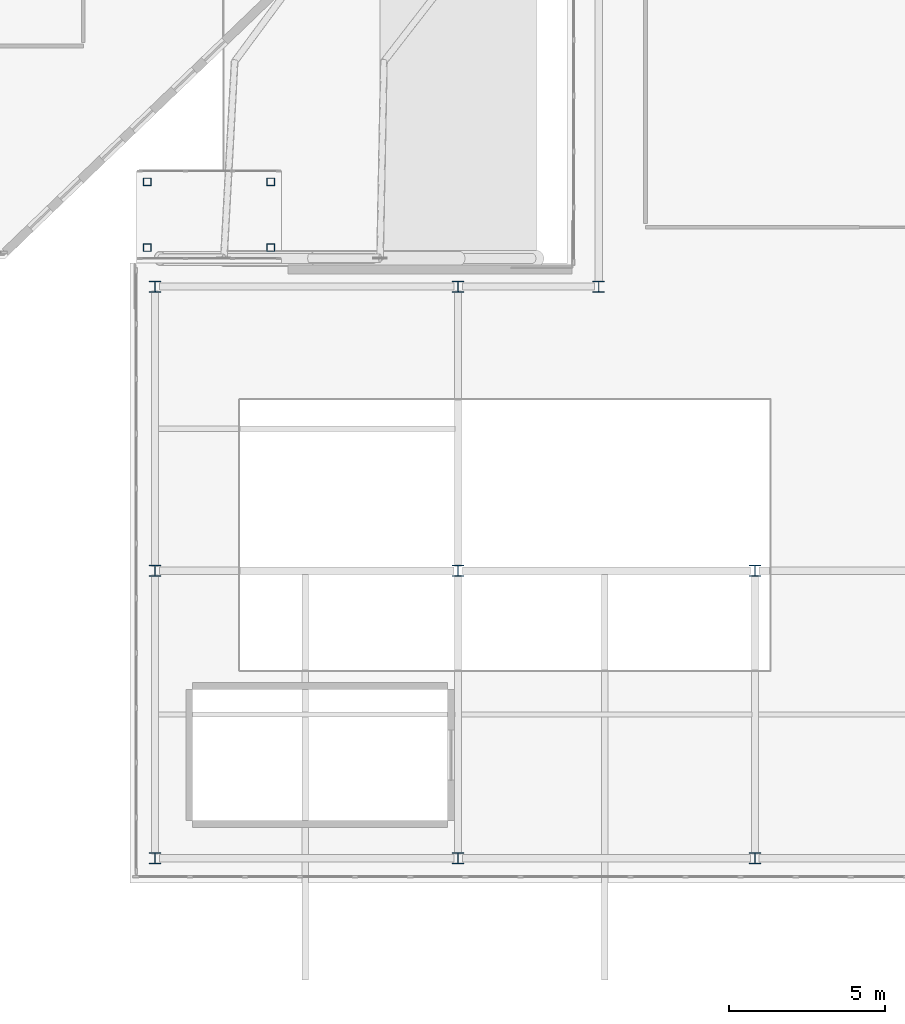
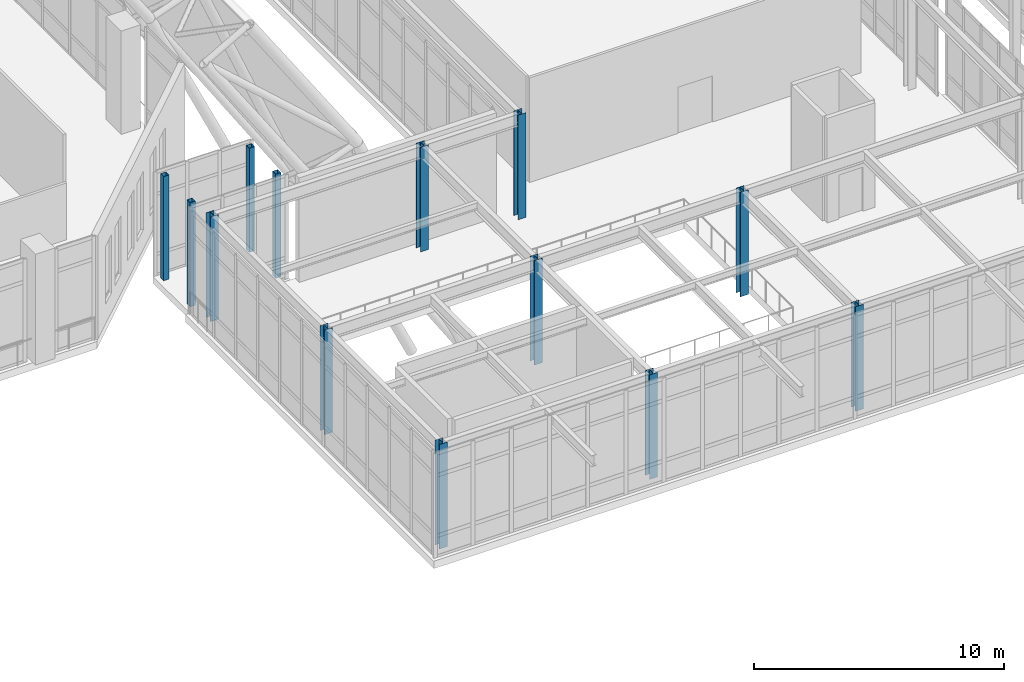
# One storey, part 2 of 159: 13 columns.
"""IFC4 building model written with IfcOpenShell, lengths in metres."""

import ifcopenshell
import ifcopenshell.guid

model = None  # the IFC model being written
_history = None  # IfcOwnerHistory: only IFC2X3 demands one
_inside = {}  # id of a spatial element -> (the spatial element, [elements in it])
_under = {}  # id of a project, library or spatial element -> (it, [spatial elements below it])
_declared = {}  # id of a project -> (the project, [libraries it declares])
_typed = {}  # id of a type object -> (the type object, [elements of that type])
_made_of = {}  # id of a material, layer set ... -> (it, [elements and type objects made of it])


def new_model(schema):
    """Start an empty IFC model of exactly this schema.

    Asked for "IFC4X3", IfcOpenShell would pick the latest addendum, in which some entities
    have other attributes; the version numbers below select the first issue.
    IFC2X3 requires an IfcOwnerHistory on every rooted entity: one is made here for all.
    """
    global model, _history
    if schema == "IFC4X3":
        model = ifcopenshell.file(schema_version=(4, 3, 0, 0))
    else:
        model = ifcopenshell.file(schema=schema)
    _inside.clear()
    _under.clear()
    _declared.clear()
    _typed.clear()
    _made_of.clear()
    _history = None
    if model.schema == "IFC2X3":
        org = make("IfcOrganization", Name="unknown")
        user = make(
            "IfcPersonAndOrganization",
            ThePerson=make("IfcPerson", FamilyName="unknown"),
            TheOrganization=org,
        )
        app = make(
            "IfcApplication",
            ApplicationDeveloper=org,
            Version="unknown",
            ApplicationFullName="unknown",
            ApplicationIdentifier="unknown",
        )
        _history = make(
            "IfcOwnerHistory",
            OwningUser=user,
            OwningApplication=app,
            ChangeAction="ADDED",
            CreationDate=0,
        )
    return model


def make(cls, **values):
    """One entity of the class cls with the attributes given. An attribute that is None is left unset."""
    return model.create_entity(
        cls, **{name: value for name, value in values.items() if value is not None}
    )


def rooted(cls, **values):
    """An entity with a GlobalId (a new one), such as an element, a storey or a relation."""
    return make(cls, GlobalId=ifcopenshell.guid.new(), OwnerHistory=_history, **values)


def si_unit(unit_type, name, prefix=None):
    """IfcSIUnit, for example si_unit("LENGTHUNIT", "METRE", prefix="MILLI")."""
    return make("IfcSIUnit", UnitType=unit_type, Prefix=prefix, Name=name)


def derived_unit(unit_type, elements):
    """IfcDerivedUnit: a product of units, each with its exponent."""
    return make(
        "IfcDerivedUnit",
        Elements=[
            make("IfcDerivedUnitElement", Unit=unit, Exponent=power)
            for unit, power in elements
        ],
        UnitType=unit_type,
    )


def assignment(units):
    """IfcUnitAssignment: the units of a project."""
    return None if units is None else make("IfcUnitAssignment", Units=units)


def point(xyz):
    """IfcCartesianPoint."""
    return None if xyz is None else make("IfcCartesianPoint", Coordinates=xyz)


def direction(xyz):
    """IfcDirection."""
    return None if xyz is None else make("IfcDirection", DirectionRatios=xyz)


def frame(location, z_axis=None, x_axis=None):
    """IfcAxis2Placement3D, a coordinate frame: its origin and axes. An axis left out is left unset."""
    return make(
        "IfcAxis2Placement3D",
        Location=point(location),
        Axis=direction(z_axis),
        RefDirection=direction(x_axis),
    )


def frame_2d(location, x_axis=None):
    """IfcAxis2Placement2D, a coordinate frame in the plane: its origin and x axis."""
    return make(
        "IfcAxis2Placement2D", Location=point(location), RefDirection=direction(x_axis)
    )


def origin():
    """The frame at (0, 0, 0) with its axes left unset."""
    return frame((0.0, 0.0, 0.0))


def origin_2d():
    """The frame at (0, 0) in the plane with its x axis left unset."""
    return frame_2d((0.0, 0.0))


def place(relative_to, where):
    """IfcLocalPlacement: puts the frame where relative to a parent placement (None: the world)."""
    return make(
        "IfcLocalPlacement", PlacementRelTo=relative_to, RelativePlacement=where
    )


def context(
    kind, dimensions, precision=None, world=None, true_north=None, identifier=None
):
    """IfcGeometricRepresentationContext, for example the 3D "Model" context."""
    return make(
        "IfcGeometricRepresentationContext",
        ContextIdentifier=identifier,
        ContextType=kind,
        CoordinateSpaceDimension=dimensions,
        Precision=precision,
        WorldCoordinateSystem=world,
        TrueNorth=true_north,
    )


def subcontext(parent, identifier, kind, view, scale=None):
    """IfcGeometricRepresentationSubContext, for example "Body" below "Model"."""
    return make(
        "IfcGeometricRepresentationSubContext",
        ContextIdentifier=identifier,
        ContextType=kind,
        ParentContext=parent,
        TargetScale=scale,
        TargetView=view,
    )


def project(units=None, contexts=None):
    """IfcProject with its units and contexts."""
    return rooted(
        "IfcProject",
        Name="project",
        RepresentationContexts=contexts,
        UnitsInContext=assignment(units),
    )


def spatial(cls, under=None, at=None, **own):
    """A site, building, storey or space (cls), placed at a placement, below another one or the project."""
    s = rooted(cls, ObjectPlacement=at, **own)
    if under is not None:
        _under.setdefault(under.id(), (under, []))[1].append(s)
    return s


def profile(cls, at=None, kind="AREA", **sizes):
    """A parametric profile (cls). Its sizes go by their IFC names, for example OverallWidth=200.0."""
    return make(cls, ProfileType=kind, Position=at, **sizes)


def hollow_rectangle(**sizes):
    """IfcRectangleHollowProfileDef."""
    return profile("IfcRectangleHollowProfileDef", **sizes)


def i_section(**sizes):
    """IfcIShapeProfileDef."""
    return profile("IfcIShapeProfileDef", **sizes)


def extrude(swept, where, along, depth):
    """IfcExtrudedAreaSolid: the profile swept, set in the frame where, extruded along a direction by depth."""
    return make(
        "IfcExtrudedAreaSolid",
        SweptArea=swept,
        Position=where,
        ExtrudedDirection=direction(along),
        Depth=depth,
    )


def shape(context_of_items, identifier, shape_type, items):
    """IfcShapeRepresentation: the items that make up one representation, for example the "Body"."""
    return make(
        "IfcShapeRepresentation",
        ContextOfItems=context_of_items,
        RepresentationIdentifier=identifier,
        RepresentationType=shape_type,
        Items=items,
    )


def material(Name=None, Category=None):
    """IfcMaterial."""
    return make("IfcMaterial", Name=Name, Category=Category)


def material_profile(
    of_material, cross_section, Name=None, Category=None, Priority=None
):
    """IfcMaterialProfile: a cross section and its material."""
    return make(
        "IfcMaterialProfile",
        Name=Name,
        Material=of_material,
        Profile=cross_section,
        Priority=Priority,
        Category=Category,
    )


def profile_set(profiles, Name=None, composite=None):
    """IfcMaterialProfileSet."""
    return make(
        "IfcMaterialProfileSet",
        Name=Name,
        MaterialProfiles=profiles,
        CompositeProfile=composite,
    )


def made_of(thing, what):
    """Note that an element or type object is made of a material, layer set ...; save() writes the relation."""
    if what is not None:
        _made_of.setdefault(what.id(), (what, []))[1].append(thing)
    return thing


def type_object(cls, material=None, **own):
    """A type object (cls), such as IfcWallType, which elements share."""
    return made_of(rooted(cls, **own), material)


def element(
    cls,
    number,
    at=None,
    inside=None,
    cuts=None,
    type_object=None,
    material=None,
    context=None,
    identifier="Body",
    shape_type=None,
    held_by="IfcProductDefinitionShape",
    body=None,
    shapes=None,
    **own,
):
    """One element of the class cls, such as IfcWall. Its Tag is "e" and its number.

    at: its placement. inside: the storey or other place that contains it. cuts: it is an
    opening in that element (IfcRelVoidsElement). A single representation is given by context,
    identifier, shape_type and body (its items); several are given by shapes. held_by: the class
    of the entity that holds the representations. save() writes the other relations.
    """
    e = rooted(cls, Tag="e%d" % number, ObjectPlacement=at, **own)
    if body is not None:
        shapes = [shape(context, identifier, shape_type, body)]
    if shapes is not None:
        e.Representation = make(held_by, Representations=shapes)
    if inside is not None:
        _inside.setdefault(inside.id(), (inside, []))[1].append(e)
    if cuts is not None:
        rooted(
            "IfcRelVoidsElement", RelatingBuildingElement=cuts, RelatedOpeningElement=e
        )
    if type_object is not None:
        _typed.setdefault(type_object.id(), (type_object, []))[1].append(e)
    return made_of(e, material)


def aggregate(whole, parts):
    """IfcRelAggregates: a whole, such as a stair, and the parts it consists of."""
    return rooted("IfcRelAggregates", RelatingObject=whole, RelatedObjects=parts)


def save(model, path):
    """Write the relations noted so far, then the file.

    IfcRelAggregates (storeys below a building ...), IfcRelContainedInSpatialStructure (elements
    in a storey), IfcRelDefinesByType, IfcRelAssociatesMaterial and IfcRelDeclares: one each for
    every whole, place, type object, material and project.
    """
    for whole, parts in _under.values():
        aggregate(whole, parts)
    for where, things in _inside.values():
        rooted(
            "IfcRelContainedInSpatialStructure",
            RelatedElements=things,
            RelatingStructure=where,
        )
    for kind, things in _typed.values():
        rooted("IfcRelDefinesByType", RelatedObjects=things, RelatingType=kind)
    for what, things in _made_of.values():
        rooted("IfcRelAssociatesMaterial", RelatedObjects=things, RelatingMaterial=what)
    for by, libraries in _declared.values():
        rooted("IfcRelDeclares", RelatingContext=by, RelatedDefinitions=libraries)
    model.write(path)


model = new_model("IFC4")

# Units and contexts
model_context = context("Model", 3, precision=1e-05, world=origin(), true_north=direction((0.0, 1.0)))
body_context = subcontext(model_context, "Body", "Model", "MODEL_VIEW")
ifc_project = project(units=[si_unit("LENGTHUNIT", "METRE"), si_unit("AREAUNIT", "SQUARE_METRE"), si_unit("VOLUMEUNIT", "CUBIC_METRE"), si_unit("PLANEANGLEUNIT", "RADIAN"), si_unit("MASSUNIT", "GRAM", prefix="KILO"), derived_unit("THERMALTRANSMITTANCEUNIT", [(si_unit("MASSUNIT", "GRAM", prefix="KILO"), 1), (si_unit("TIMEUNIT", "SECOND"), -3), (si_unit("THERMODYNAMICTEMPERATUREUNIT", "KELVIN"), -1)])], contexts=[model_context])

# Site, building, storey
site_placement = place(None, origin())
site = spatial("IfcSite", under=ifc_project, at=site_placement, CompositionType="ELEMENT")
building_placement = place(site_placement, origin())
building = spatial("IfcBuilding", under=site, at=building_placement, Name="Valcora Ridge Arena", CompositionType="ELEMENT")
storey_placement = place(building_placement, frame((0.0, 0.0, 6.0)))
storey = spatial("IfcBuildingStorey", under=building, at=storey_placement, Name="L01", CompositionType="ELEMENT", Elevation=6.0)

# Columns
ifc_material_1 = material(Name="Steel ASTM A500 Grade C", Category="steel")
ifc_material_profile_1 = material_profile(ifc_material_1, hollow_rectangle(XDim=0.25, YDim=0.25, WallThickness=0.012451171875, at=origin_2d()), Name="HSS250X250X12")
ifc_profile_set_1 = profile_set([ifc_material_profile_1], Name="Steel ASTM A500 Grade C")
column_type_1 = type_object("IfcColumnType", Name="TY-COLUMN-C-BRG250", PredefinedType="COLUMN", material=ifc_profile_set_1)
for number, where, z_axis, x_axis, name in (
    (1, (98.550048828125, 20.35009765625, 0.0), (0.0, 0.0, 1.0), (1.0, 0.0, 0.0), "C-BRG250 COL-BG-C-BRG250-0002"),
    (2, (102.5, 20.35009765625, 0.0), (0.0, 0.0, 1.0), (1.0, 0.0, 0.0), "C-BRG250 COL-BG-C-BRG250-0004"),
    (3, (98.550048828125, 22.449951171875, 0.0), (0.0, 0.0, 1.0), (1.0, 0.0, 0.0), "C-BRG250 COL-BG-C-BRG250-0006"),
    (4, (102.5, 22.449951171875, 0.0), (0.0, 0.0, 1.0), (1.0, 0.0, 0.0), "C-BRG250 COL-BG-C-BRG250-0008"),
):
    element("IfcColumn", number, at=place(storey_placement, frame(where, z_axis=z_axis, x_axis=x_axis)), inside=storey, type_object=column_type_1, Name=name, PredefinedType="COLUMN", context=body_context, shape_type="SweptSolid", body=[
        extrude(hollow_rectangle(XDim=0.25, YDim=0.25, WallThickness=0.012451171875, at=origin_2d()), origin(), (0.0, 0.0, 1.0), 5.080078125),
    ])
ifc_material_2 = material(Name="Steel ASTM A572 Grade 50", Category="steel")
ifc_material_profile_2 = material_profile(ifc_material_2, i_section(OverallWidth=0.368896484375, OverallDepth=0.35595703125, WebThickness=0.01123046875, FlangeThickness=0.01806640625, FilletRadius=0.01806640625, at=origin_2d()), Name="W14X90")
ifc_profile_set_2 = profile_set([ifc_material_profile_2], Name="Steel ASTM A572 Grade 50")
column_type_2 = type_object("IfcColumnType", Name="TY-COLUMN-C-STL14D", PredefinedType="COLUMN", material=ifc_profile_set_2)
for number, where, z_axis, x_axis, name in (
    (5, (98.800048828125, 0.800048828125, 0.0), (0.0, 0.0, 1.0), (1.0, 0.0, 0.0), "C-STL14D COL-C-STL14D-0001"),
    (6, (108.5, 0.800048828125, 0.0), (0.0, 0.0, 1.0), (1.0, 0.0, 0.0), "C-STL14D COL-C-STL14D-0002"),
    (7, (118.0, 0.800048828125, 0.0), (0.0, 0.0, 1.0), (1.0, 0.0, 0.0), "C-STL14D COL-C-STL14D-0003"),
    (8, (98.800048828125, 10.0, 0.0), (0.0, 0.0, 1.0), (1.0, 0.0, 0.0), "C-STL14D COL-C-STL14D-0005"),
    (9, (108.5, 10.0, 0.0), (0.0, 0.0, 1.0), (1.0, 0.0, 0.0), "C-STL14D COL-C-STL14D-0006"),
    (10, (118.0, 10.0, 0.0), (0.0, 0.0, 1.0), (1.0, 0.0, 0.0), "C-STL14D COL-C-STL14D-0007"),
    (11, (98.800048828125, 19.10009765625, 0.0), (0.0, 0.0, 1.0), (1.0, 0.0, 0.0), "C-STL14D COL-C-STL14D-0009"),
    (12, (108.5, 19.10009765625, 0.0), (0.0, 0.0, 1.0), (1.0, 0.0, 0.0), "C-STL14D COL-C-STL14D-0010"),
    (13, (113.0, 19.10009765625, 0.0), (0.0, 0.0, 1.0), (1.0, 0.0, 0.0), "C-STL14D COL-C-STL14D-0011"),
):
    element("IfcColumn", number, at=place(storey_placement, frame(where, z_axis=z_axis, x_axis=x_axis)), inside=storey, type_object=column_type_2, Name=name, PredefinedType="COLUMN", context=body_context, shape_type="SweptSolid", body=[
        extrude(i_section(OverallWidth=0.368896484375, OverallDepth=0.35595703125, WebThickness=0.01123046875, FlangeThickness=0.01806640625, FilletRadius=0.01806640625, at=origin_2d()), origin(), (0.0, 0.0, 1.0), 5.10009765625),
    ])

save(model, "model.ifc")
